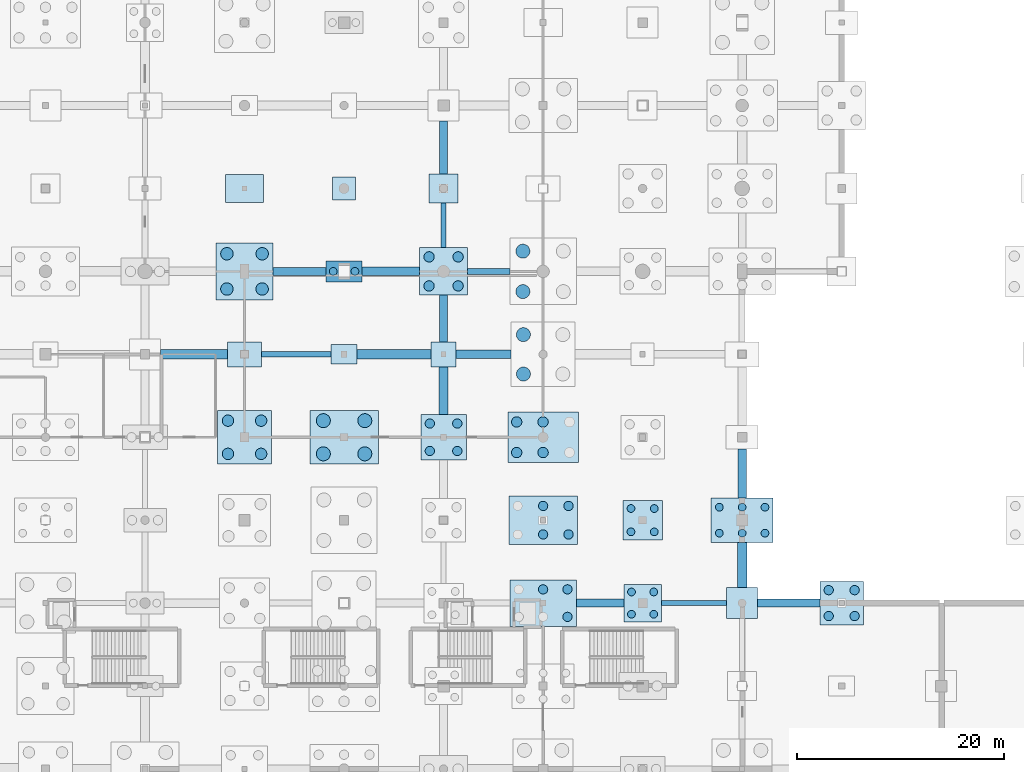
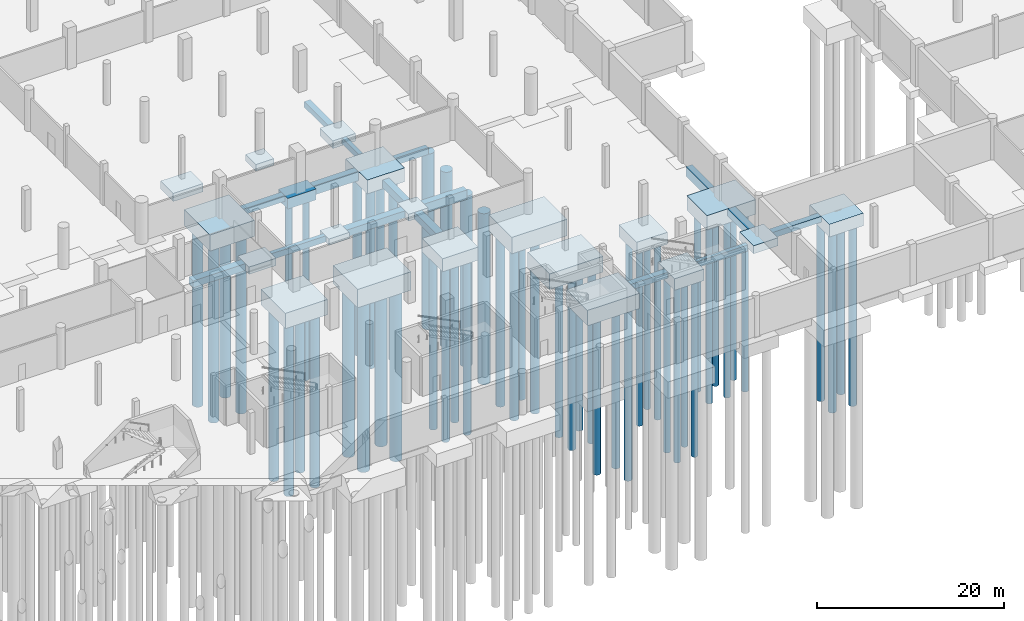
# One storey, part 5 of 44: 55 piles, 36 footings.
"""IFC4 building model written with IfcOpenShell, lengths in metres."""

from ifc_helpers import new_model, si_unit, direction, frame, origin, origin_2d, place, context, subcontext, project, spatial, rectangle, circle, extrude, material, material_profile, profile_set, type_object, element, save


model = new_model("IFC4")

# Units and contexts
model_context = context("Model", 3, precision=1e-05, world=origin(), true_north=direction((0.0, 1.0)))
body_context = subcontext(model_context, "Body", "Model", "MODEL_VIEW")
ifc_project = project(units=[si_unit("LENGTHUNIT", "METRE"), si_unit("AREAUNIT", "SQUARE_METRE"), si_unit("VOLUMEUNIT", "CUBIC_METRE"), si_unit("PLANEANGLEUNIT", "RADIAN"), si_unit("MASSUNIT", "GRAM", prefix="KILO")], contexts=[model_context])

# Site, building, storey
site_placement = place(None, origin())
site = spatial("IfcSite", under=ifc_project, at=site_placement, CompositionType="ELEMENT")
building_placement = place(site_placement, origin())
building = spatial("IfcBuilding", under=site, at=building_placement, Name="Danafjord Basin Convention Centre", CompositionType="ELEMENT")
storey_placement = place(building_placement, frame((0.0, 0.0, -5.39990234375)))
storey = spatial("IfcBuildingStorey", under=building, at=storey_placement, Name="B1", CompositionType="ELEMENT", Elevation=-5.39990234375)

# Footings
ifc_material_1 = material(Name="Concrete C40/50", Category="concrete")
footing_type_1 = type_object("IfcFootingType", Name="CAP-PC-01", PredefinedType="PILE_CAP", material=ifc_material_1)
footing_1_placement = place(storey_placement, frame((76.800048828125, 56.0, -1.400146484375), z_axis=(0.0, 0.0, 1.0), x_axis=(1.0, 0.0, 0.0)))
element("IfcFooting", 1, at=footing_1_placement, inside=storey, type_object=footing_type_1, Name="B1 pile cap PC-01 at (76.8, 56.0)", PredefinedType="PILE_CAP", context=body_context, shape_type="SweptSolid", body=[
    extrude(rectangle(XDim=3.5, YDim=2.0, at=origin_2d()), origin(), (0.0, 0.0, 1.0), 1.39990234375),
])
footing_type_2 = type_object("IfcFootingType", Name="CAP-PC-06", PredefinedType="PILE_CAP", material=ifc_material_1)
footing_2_placement = place(storey_placement, frame((105.60009765625, 24.0, -2.150146484375), z_axis=(0.0, 0.0, 1.0), x_axis=(1.0, 0.0, 0.0)))
element("IfcFooting", 2, at=footing_2_placement, inside=storey, type_object=footing_type_2, Name="B1 pile cap PC-06 at (105.6, 24.0)", PredefinedType="PILE_CAP", context=body_context, shape_type="SweptSolid", body=[
    extrude(rectangle(XDim=3.60009765625, YDim=3.60009765625, at=origin_2d()), origin(), (0.0, 0.0, 1.0), 1.5),
])
footing_type_3 = type_object("IfcFootingType", Name="CAP-PC-07", PredefinedType="PILE_CAP", material=ifc_material_1)
footing_3_placement = place(storey_placement, frame((105.60009765625, 32.0, -2.2001953125), z_axis=(0.0, 0.0, 1.0), x_axis=(1.0, 0.0, 0.0)))
element("IfcFooting", 3, at=footing_3_placement, inside=storey, type_object=footing_type_3, Name="B1 pile cap PC-07 at (105.6, 32.0)", PredefinedType="PILE_CAP", context=body_context, shape_type="SweptSolid", body=[
    extrude(rectangle(XDim=3.800048828125, YDim=3.800048828125, at=origin_2d()), origin(), (0.0, 0.0, 1.0), 1.550048828125),
])
footing_type_4 = type_object("IfcFootingType", Name="CAP-PC-08", PredefinedType="PILE_CAP", material=ifc_material_1)
footing_4_placement = place(storey_placement, frame((124.800048828125, 24.0, -1.650146484375), z_axis=(0.0, 0.0, 1.0), x_axis=(1.0, 0.0, 0.0)))
element("IfcFooting", 4, at=footing_4_placement, inside=storey, type_object=footing_type_4, Name="B1 pile cap PC-08 at (124.8, 24.0)", PredefinedType="PILE_CAP", context=body_context, shape_type="SweptSolid", body=[
    extrude(rectangle(XDim=4.199951171875, YDim=4.199951171875, at=origin_2d()), origin(), (0.0, 0.0, 1.0), 1.64990234375),
])
footing_type_5 = type_object("IfcFootingType", Name="CAP-PC-09", PredefinedType="PILE_CAP", material=ifc_material_1)
footing_5_placement = place(storey_placement, frame((86.39990234375, 40.0, -2.35009765625), z_axis=(0.0, 0.0, 1.0), x_axis=(1.0, 0.0, 0.0)))
element("IfcFooting", 5, at=footing_5_placement, inside=storey, type_object=footing_type_5, Name="B1 pile cap PC-09 at (86.4, 40.0)", PredefinedType="PILE_CAP", context=body_context, shape_type="SweptSolid", body=[
    extrude(rectangle(XDim=4.39990234375, YDim=4.39990234375, at=origin_2d()), origin(), (0.0, 0.0, 1.0), 1.699951171875),
])
footing_type_6 = type_object("IfcFootingType", Name="CAP-PC-10", PredefinedType="PILE_CAP", material=ifc_material_1)
footing_6_placement = place(storey_placement, frame((86.39990234375, 56.0, -1.80029296875), z_axis=(0.0, 0.0, 1.0), x_axis=(1.0, 0.0, 0.0)))
element("IfcFooting", 6, at=footing_6_placement, inside=storey, type_object=footing_type_6, Name="B1 pile cap PC-10 at (86.4, 56.0)", PredefinedType="PILE_CAP", context=body_context, shape_type="SweptSolid", body=[
    extrude(rectangle(XDim=4.60009765625, YDim=4.60009765625, at=origin_2d()), origin(), (0.0, 0.0, 1.0), 1.800048828125),
])
footing_type_7 = type_object("IfcFootingType", Name="CAP-PC-13", PredefinedType="PILE_CAP", material=ifc_material_1)
footing_7_placement = place(storey_placement, frame((67.199951171875, 40.0, -2.650146484375), z_axis=(0.0, 0.0, 1.0), x_axis=(1.0, 0.0, 0.0)))
element("IfcFooting", 7, at=footing_7_placement, inside=storey, type_object=footing_type_7, Name="B1 pile cap PC-13 at (67.2, 40.0)", PredefinedType="PILE_CAP", context=body_context, shape_type="SweptSolid", body=[
    extrude(rectangle(XDim=5.199951171875, YDim=5.199951171875, at=origin_2d()), origin(), (0.0, 0.0, 1.0), 2.0),
])
footing_type_8 = type_object("IfcFootingType", Name="CAP-PC-14", PredefinedType="PILE_CAP", material=ifc_material_1)
footing_8_placement = place(storey_placement, frame((67.199951171875, 56.0, -2.10009765625), z_axis=(0.0, 0.0, 1.0), x_axis=(1.0, 0.0, 0.0)))
element("IfcFooting", 8, at=footing_8_placement, inside=storey, type_object=footing_type_8, Name="B1 pile cap PC-14 at (67.2, 56.0)", PredefinedType="PILE_CAP", context=body_context, shape_type="SweptSolid", body=[
    extrude(rectangle(XDim=5.5, YDim=5.5, at=origin_2d()), origin(), (0.0, 0.0, 1.0), 2.10009765625),
])
footing_type_9 = type_object("IfcFootingType", Name="CAP-PC-16", PredefinedType="PILE_CAP", material=ifc_material_1)
footing_9_placement = place(storey_placement, frame((115.199951171875, 32.0, -1.900146484375), z_axis=(0.0, 0.0, 1.0), x_axis=(1.0, 0.0, 0.0)))
element("IfcFooting", 9, at=footing_9_placement, inside=storey, type_object=footing_type_9, Name="B1 pile cap PC-16 at (115.2, 32.0)", PredefinedType="PILE_CAP", context=body_context, shape_type="SweptSolid", body=[
    extrude(rectangle(XDim=6.0, YDim=4.300048828125, at=origin_2d()), origin(), (0.0, 0.0, 1.0), 1.89990234375),
])
footing_type_10 = type_object("IfcFootingType", Name="CAP-PC-17", PredefinedType="PILE_CAP", material=ifc_material_1)
footing_10_placement = place(storey_placement, frame((96.0, 24.0, -2.650146484375), z_axis=(0.0, 0.0, 1.0), x_axis=(1.0, 0.0, 0.0)))
element("IfcFooting", 10, at=footing_10_placement, inside=storey, type_object=footing_type_10, Name="B1 pile cap PC-17 at (96.0, 24.0)", PredefinedType="PILE_CAP", context=body_context, shape_type="SweptSolid", body=[
    extrude(rectangle(XDim=6.39990234375, YDim=4.5, at=origin_2d()), origin(), (0.0, 0.0, 1.0), 2.0),
])
footing_type_11 = type_object("IfcFootingType", Name="CAP-PC-18", PredefinedType="PILE_CAP", material=ifc_material_1)
footing_11_placement = place(storey_placement, frame((96.0, 32.0, -2.7001953125), z_axis=(0.0, 0.0, 1.0), x_axis=(1.0, 0.0, 0.0)))
element("IfcFooting", 11, at=footing_11_placement, inside=storey, type_object=footing_type_11, Name="B1 pile cap PC-18 at (96.0, 32.0)", PredefinedType="PILE_CAP", context=body_context, shape_type="SweptSolid", body=[
    extrude(rectangle(XDim=6.60009765625, YDim=4.699951171875, at=origin_2d()), origin(), (0.0, 0.0, 1.0), 2.050048828125),
])
footing_type_12 = type_object("IfcFootingType", Name="CAP-PC-19", PredefinedType="PILE_CAP", material=ifc_material_1)
footing_12_placement = place(storey_placement, frame((96.0, 40.0, -2.800048828125), z_axis=(0.0, 0.0, 1.0), x_axis=(1.0, 0.0, 0.0)))
element("IfcFooting", 12, at=footing_12_placement, inside=storey, type_object=footing_type_12, Name="B1 pile cap PC-19 at (96.0, 40.0)", PredefinedType="PILE_CAP", context=body_context, shape_type="SweptSolid", body=[
    extrude(rectangle(XDim=6.800048828125, YDim=4.89990234375, at=origin_2d()), origin(), (0.0, 0.0, 1.0), 2.14990234375),
])
footing_type_13 = type_object("IfcFootingType", Name="CAP-PC-22", PredefinedType="PILE_CAP", material=ifc_material_1)
footing_13_placement = place(storey_placement, frame((76.800048828125, 40.0, -3.050048828125), z_axis=(0.0, 0.0, 1.0), x_axis=(1.0, 0.0, 0.0)))
element("IfcFooting", 13, at=footing_13_placement, inside=storey, type_object=footing_type_13, Name="B1 pile cap PC-22 at (76.8, 40.0)", PredefinedType="PILE_CAP", context=body_context, shape_type="SweptSolid", body=[
    extrude(rectangle(XDim=6.60009765625, YDim=5.199951171875, at=origin_2d()), origin(), (0.0, 0.0, 1.0), 2.39990234375),
])
ifc_material_profile_1 = material_profile(ifc_material_1, rectangle(XDim=0.800048828125, YDim=1.0, at=origin_2d()), Name="GB 800x1000")
ifc_profile_set_1 = profile_set([ifc_material_profile_1], Name="Concrete C40/50")
footing_type_14 = type_object("IfcFootingType", Name="FBM-FB-01", PredefinedType="FOOTING_BEAM", material=ifc_profile_set_1)
footing_14_placement = place(storey_placement, frame((86.39990234375, 49.199951171875, -1.150146484375), z_axis=(0.0, 1.0, 0.0), x_axis=(-1.0, 0.0, 0.0)))
element("IfcFooting", 14, at=footing_14_placement, inside=storey, type_object=footing_type_14, Name="B1 foundation tie beam FB-01", PredefinedType="FOOTING_BEAM", context=body_context, shape_type="SweptSolid", body=[
    extrude(rectangle(XDim=0.800048828125, YDim=1.0, at=origin_2d()), origin(), (0.0, 0.0, 1.0), 4.5),
])
ifc_material_profile_2 = material_profile(ifc_material_1, rectangle(XDim=0.60009765625, YDim=0.89990234375, at=origin_2d()), Name="GB 600x900")
ifc_profile_set_2 = profile_set([ifc_material_profile_2], Name="Concrete C40/50")
footing_type_15 = type_object("IfcFootingType", Name="FBM-FB-02", PredefinedType="FOOTING_BEAM", material=ifc_profile_set_2)
footing_15_placement = place(storey_placement, frame((88.699951171875, 56.0, -0.4501953125), z_axis=(1.0, 0.0, 0.0), x_axis=(0.0, 1.0, 0.0)))
element("IfcFooting", 15, at=footing_15_placement, inside=storey, type_object=footing_type_15, Name="B1 foundation beam FB-02", PredefinedType="FOOTING_BEAM", context=body_context, shape_type="SweptSolid", body=[
    extrude(rectangle(XDim=0.60009765625, YDim=0.89990234375, at=origin_2d()), origin(), (0.0, 0.0, 1.0), 4.10009765625),
])
ifc_material_profile_3 = material_profile(ifc_material_1, rectangle(XDim=0.5, YDim=0.800048828125, at=origin_2d()), Name="PCB 500x800")
ifc_profile_set_3 = profile_set([ifc_material_profile_3], Name="Concrete C40/50")
footing_type_16 = type_object("IfcFootingType", Name="FBM-FB-03", PredefinedType="FOOTING_BEAM", material=ifc_profile_set_3)
footing_16_placement = place(storey_placement, frame((68.85009765625, 48.0, -1.050048828125), z_axis=(1.0, 0.0, 0.0), x_axis=(0.0, 1.0, 0.0)))
element("IfcFooting", 16, at=footing_16_placement, inside=storey, type_object=footing_type_16, Name="B1 foundation beam FB-03", PredefinedType="FOOTING_BEAM", context=body_context, shape_type="SweptSolid", body=[
    extrude(rectangle(XDim=0.5, YDim=0.800048828125, at=origin_2d()), origin(), (0.0, 0.0, 1.0), 6.699951171875),
])
footing_17_placement = place(storey_placement, frame((86.39990234375, 58.300048828125, -1.0), z_axis=(0.0, 1.0, 0.0), x_axis=(-1.0, 0.0, 0.0)))
element("IfcFooting", 17, at=footing_17_placement, inside=storey, type_object=footing_type_16, Name="B1 foundation tie beam FB-03", PredefinedType="FOOTING_BEAM", context=body_context, shape_type="SweptSolid", body=[
    extrude(rectangle(XDim=0.5, YDim=0.800048828125, at=origin_2d()), origin(), (0.0, 0.0, 1.0), 4.300048828125),
])
footing_18_placement = place(storey_placement, frame((107.39990234375, 24.0, -1.050048828125), z_axis=(1.0, 0.0, 0.0), x_axis=(0.0, 1.0, 0.0)))
element("IfcFooting", 18, at=footing_18_placement, inside=storey, type_object=footing_type_16, Name="B1 foundation beam FB-03", PredefinedType="FOOTING_BEAM", context=body_context, shape_type="SweptSolid", body=[
    extrude(rectangle(XDim=0.5, YDim=0.800048828125, at=origin_2d()), origin(), (0.0, 0.0, 1.0), 6.300048828125),
])
ifc_material_profile_4 = material_profile(ifc_material_1, rectangle(XDim=0.75, YDim=0.75, at=origin_2d()), Name="RC 750x750")
ifc_profile_set_4 = profile_set([ifc_material_profile_4], Name="Concrete C40/50")
footing_type_17 = type_object("IfcFootingType", Name="FBM-FB-04", PredefinedType="FOOTING_BEAM", material=ifc_profile_set_4)
for number, where, z_axis, x_axis, name in (
    (19, (69.949951171875, 56.0, -0.375), (1.0, 0.0, 0.0), (0.0, 1.0, 0.0), "B1 foundation beam FB-04"),
    (20, (86.39990234375, 65.39990234375, -0.97509765625), (0.0, 1.0, 0.0), (-1.0, 0.0, 0.0), "B1 foundation tie beam FB-04"),
):
    element("IfcFooting", number, at=place(storey_placement, frame(where, z_axis=z_axis, x_axis=x_axis)), inside=storey, type_object=footing_type_17, Name=name, PredefinedType="FOOTING_BEAM", context=body_context, shape_type="SweptSolid", body=[
        extrude(rectangle(XDim=0.75, YDim=0.75, at=origin_2d()), origin(), (0.0, 0.0, 1.0), 5.10009765625),
    ])
footing_19_placement = place(storey_placement, frame((99.199951171875, 24.0, -1.025146484375), z_axis=(1.0, 0.0, 0.0), x_axis=(0.0, 1.0, 0.0)))
element("IfcFooting", 21, at=footing_19_placement, inside=storey, type_object=footing_type_17, Name="B1 foundation beam FB-04", PredefinedType="FOOTING_BEAM", context=body_context, shape_type="SweptSolid", body=[
    extrude(rectangle(XDim=0.75, YDim=0.75, at=origin_2d()), origin(), (0.0, 0.0, 1.0), 4.60009765625),
])
footing_20_placement = place(storey_placement, frame((116.699951171875, 24.0, -0.375), z_axis=(1.0, 0.0, 0.0), x_axis=(0.0, 1.0, 0.0)))
element("IfcFooting", 22, at=footing_20_placement, inside=storey, type_object=footing_type_17, Name="B1 foundation beam FB-04", PredefinedType="FOOTING_BEAM", context=body_context, shape_type="SweptSolid", body=[
    extrude(rectangle(XDim=0.75, YDim=0.75, at=origin_2d()), origin(), (0.0, 0.0, 1.0), 6.0),
])
ifc_material_profile_5 = material_profile(ifc_material_1, rectangle(XDim=0.89990234375, YDim=0.89990234375, at=origin_2d()), Name="RC 900x900")
ifc_profile_set_5 = profile_set([ifc_material_profile_5], Name="Concrete C40/50")
footing_type_18 = type_object("IfcFootingType", Name="FBM-FB-05", PredefinedType="FOOTING_BEAM", material=ifc_profile_set_5)
footing_21_placement = place(storey_placement, frame((59.10009765625, 48.0, -1.10009765625), z_axis=(1.0, 0.0, 0.0), x_axis=(0.0, 1.0, 0.0)))
element("IfcFooting", 23, at=footing_21_placement, inside=storey, type_object=footing_type_18, Name="B1 foundation beam FB-05", PredefinedType="FOOTING_BEAM", context=body_context, shape_type="SweptSolid", body=[
    extrude(rectangle(XDim=0.89990234375, YDim=0.89990234375, at=origin_2d()), origin(), (0.0, 0.0, 1.0), 6.449951171875),
])
footing_22_placement = place(storey_placement, frame((78.050048828125, 48.0, -1.10009765625), z_axis=(1.0, 0.0, 0.0), x_axis=(0.0, 1.0, 0.0)))
element("IfcFooting", 24, at=footing_22_placement, inside=storey, type_object=footing_type_18, Name="B1 foundation beam FB-05", PredefinedType="FOOTING_BEAM", context=body_context, shape_type="SweptSolid", body=[
    extrude(rectangle(XDim=0.89990234375, YDim=0.89990234375, at=origin_2d()), origin(), (0.0, 0.0, 1.0), 7.14990234375),
])
footing_23_placement = place(storey_placement, frame((86.39990234375, 42.199951171875, -1.10009765625), z_axis=(0.0, 1.0, 0.0), x_axis=(-1.0, 0.0, 0.0)))
element("IfcFooting", 25, at=footing_23_placement, inside=storey, type_object=footing_type_18, Name="B1 foundation tie beam FB-05", PredefinedType="FOOTING_BEAM", context=body_context, shape_type="SweptSolid", body=[
    extrude(rectangle(XDim=0.89990234375, YDim=0.89990234375, at=origin_2d()), origin(), (0.0, 0.0, 1.0), 4.60009765625),
])
footing_24_placement = place(storey_placement, frame((115.199951171875, 25.5, -0.4501953125), z_axis=(0.0, 1.0, 0.0), x_axis=(-1.0, 0.0, 0.0)))
element("IfcFooting", 26, at=footing_24_placement, inside=storey, type_object=footing_type_18, Name="B1 foundation tie beam FB-05", PredefinedType="FOOTING_BEAM", context=body_context, shape_type="SweptSolid", body=[
    extrude(rectangle(XDim=0.89990234375, YDim=0.89990234375, at=origin_2d()), origin(), (0.0, 0.0, 1.0), 4.35009765625),
])
ifc_material_profile_6 = material_profile(ifc_material_1, rectangle(XDim=0.800048828125, YDim=1.199951171875, at=origin_2d()), Name="RC 1200x800")
ifc_profile_set_6 = profile_set([ifc_material_profile_6], Name="Concrete C40/50")
footing_type_19 = type_object("IfcFootingType", Name="FBM-FB-06", PredefinedType="FOOTING_BEAM", material=ifc_profile_set_6)
footing_25_placement = place(storey_placement, frame((78.550048828125, 56.0, -0.60009765625), z_axis=(1.0, 0.0, 0.0), x_axis=(0.0, 1.0, 0.0)))
element("IfcFooting", 27, at=footing_25_placement, inside=storey, type_object=footing_type_19, Name="B1 foundation beam FB-06", PredefinedType="FOOTING_BEAM", context=body_context, shape_type="SweptSolid", body=[
    extrude(rectangle(XDim=0.800048828125, YDim=1.199951171875, at=origin_2d()), origin(), (0.0, 0.0, 1.0), 5.550048828125),
])
footing_26_placement = place(storey_placement, frame((87.60009765625, 48.0, -1.25), z_axis=(1.0, 0.0, 0.0), x_axis=(0.0, 1.0, 0.0)))
element("IfcFooting", 28, at=footing_26_placement, inside=storey, type_object=footing_type_19, Name="B1 foundation beam FB-06", PredefinedType="FOOTING_BEAM", context=body_context, shape_type="SweptSolid", body=[
    extrude(rectangle(XDim=0.800048828125, YDim=1.199951171875, at=origin_2d()), origin(), (0.0, 0.0, 1.0), 5.2998046875),
])
footing_27_placement = place(storey_placement, frame((115.199951171875, 34.14990234375, -0.60009765625), z_axis=(0.0, 1.0, 0.0), x_axis=(-1.0, 0.0, 0.0)))
element("IfcFooting", 29, at=footing_27_placement, inside=storey, type_object=footing_type_19, Name="B1 foundation tie beam FB-06", PredefinedType="FOOTING_BEAM", context=body_context, shape_type="SweptSolid", body=[
    extrude(rectangle(XDim=0.800048828125, YDim=1.199951171875, at=origin_2d()), origin(), (0.0, 0.0, 1.0), 4.72509765625),
])
ifc_material_2 = material(Name="Concrete C35/45", Category="concrete")
footing_type_20 = type_object("IfcFootingType", Name="PAD-PF-02", PredefinedType="PAD_FOOTING", material=ifc_material_2)
footing_28_placement = place(storey_placement, frame((76.800048828125, 64.0, -1.4501953125), z_axis=(0.0, 0.0, 1.0), x_axis=(1.0, 0.0, 0.0)))
element("IfcFooting", 30, at=footing_28_placement, inside=storey, type_object=footing_type_20, Name="B1 pad footing PF-02 at (76.8, 64.0)", PredefinedType="PAD_FOOTING", context=body_context, shape_type="SweptSolid", body=[
    extrude(rectangle(XDim=2.199951171875, YDim=2.199951171875, at=origin_2d()), origin(), (0.0, 0.0, 1.0), 0.85009765625),
])
footing_type_21 = type_object("IfcFootingType", Name="PAD-PF-03", PredefinedType="PAD_FOOTING", material=ifc_material_2)
footing_29_placement = place(storey_placement, frame((86.39990234375, 48.0, -1.550048828125), z_axis=(0.0, 0.0, 1.0), x_axis=(1.0, 0.0, 0.0)))
element("IfcFooting", 31, at=footing_29_placement, inside=storey, type_object=footing_type_21, Name="B1 pad footing PF-03 at (86.4, 48.0)", PredefinedType="PAD_FOOTING", context=body_context, shape_type="SweptSolid", body=[
    extrude(rectangle(XDim=2.39990234375, YDim=2.39990234375, at=origin_2d()), origin(), (0.0, 0.0, 1.0), 0.89990234375),
])
footing_type_22 = type_object("IfcFootingType", Name="PAD-PF-05", PredefinedType="PAD_FOOTING", material=ifc_material_2)
footing_30_placement = place(storey_placement, frame((86.39990234375, 64.0, -1.60009765625), z_axis=(0.0, 0.0, 1.0), x_axis=(1.0, 0.0, 0.0)))
element("IfcFooting", 32, at=footing_30_placement, inside=storey, type_object=footing_type_22, Name="B1 pad footing PF-05 at (86.4, 64.0)", PredefinedType="PAD_FOOTING", context=body_context, shape_type="SweptSolid", body=[
    extrude(rectangle(XDim=2.800048828125, YDim=2.800048828125, at=origin_2d()), origin(), (0.0, 0.0, 1.0), 1.0),
])
footing_type_23 = type_object("IfcFootingType", Name="PAD-PF-06", PredefinedType="PAD_FOOTING", material=ifc_material_2)
footing_31_placement = place(storey_placement, frame((115.199951171875, 24.0, -1.05029296875), z_axis=(0.0, 0.0, 1.0), x_axis=(1.0, 0.0, 0.0)))
element("IfcFooting", 33, at=footing_31_placement, inside=storey, type_object=footing_type_23, Name="B1 pad footing PF-06 at (115.2, 24.0)", PredefinedType="PAD_FOOTING", context=body_context, shape_type="SweptSolid", body=[
    extrude(rectangle(XDim=3.0, YDim=3.0, at=origin_2d()), origin(), (0.0, 0.0, 1.0), 1.050048828125),
])
footing_type_24 = type_object("IfcFootingType", Name="PAD-PF-09", PredefinedType="PAD_FOOTING", material=ifc_material_2)
footing_32_placement = place(storey_placement, frame((67.199951171875, 48.0, -1.60009765625), z_axis=(0.0, 0.0, 1.0), x_axis=(1.0, 0.0, 0.0)))
element("IfcFooting", 34, at=footing_32_placement, inside=storey, type_object=footing_type_24, Name="B1 pad footing PF-09 at (67.2, 48.0)", PredefinedType="PAD_FOOTING", context=body_context, shape_type="SweptSolid", body=[
    extrude(rectangle(XDim=3.300048828125, YDim=2.39990234375, at=origin_2d()), origin(), (0.0, 0.0, 1.0), 0.949951171875),
])
footing_type_25 = type_object("IfcFootingType", Name="PAD-PF-11", PredefinedType="PAD_FOOTING", material=ifc_material_2)
footing_33_placement = place(storey_placement, frame((67.199951171875, 64.0, -1.64990234375), z_axis=(0.0, 0.0, 1.0), x_axis=(1.0, 0.0, 0.0)))
element("IfcFooting", 35, at=footing_33_placement, inside=storey, type_object=footing_type_25, Name="B1 pad footing PF-11 at (67.2, 64.0)", PredefinedType="PAD_FOOTING", context=body_context, shape_type="SweptSolid", body=[
    extrude(rectangle(XDim=3.699951171875, YDim=2.699951171875, at=origin_2d()), origin(), (0.0, 0.0, 1.0), 1.050048828125),
])
footing_type_26 = type_object("IfcFootingType", Name="PAD-PF-12", PredefinedType="PAD_FOOTING", material=ifc_material_2)
footing_34_placement = place(storey_placement, frame((76.800048828125, 48.0, -1.4501953125), z_axis=(0.0, 0.0, 1.0), x_axis=(1.0, 0.0, 0.0)))
element("IfcFooting", 36, at=footing_34_placement, inside=storey, type_object=footing_type_26, Name="B1 pad footing PF-12 at (76.8, 48.0)", PredefinedType="PAD_FOOTING", context=body_context, shape_type="SweptSolid", body=[
    extrude(rectangle(XDim=2.5, YDim=1.89990234375, at=origin_2d()), origin(), (0.0, 0.0, 1.0), 0.800048828125),
])

# Piles
ifc_material_profile_7 = material_profile(ifc_material_1, circle(Radius=0.5, at=origin_2d()), Name="PILE D1000")
ifc_profile_set_7 = profile_set([ifc_material_profile_7], Name="Concrete C40/50")
pile_type_1 = type_object("IfcPileType", Name="PILE-PL-1000", PredefinedType="BORED", material=ifc_profile_set_7)
for number, where, z_axis, x_axis, name in (
    (37, (85.0, 54.60009765625, -1.7001953125), (0.0, 0.0, -1.0), (1.0, 0.0, 0.0), "PC-10 bored pile 1-1"),
    (38, (85.0, 57.39990234375, -1.7001953125), (0.0, 0.0, -1.0), (1.0, 0.0, 0.0), "PC-10 bored pile 1-2"),
    (39, (87.800048828125, 54.60009765625, -1.7001953125), (0.0, 0.0, -1.0), (1.0, 0.0, 0.0), "PC-10 bored pile 2-1"),
    (40, (87.800048828125, 57.39990234375, -1.7001953125), (0.0, 0.0, -1.0), (1.0, 0.0, 0.0), "PC-10 bored pile 2-2"),
):
    element("IfcPile", number, at=place(storey_placement, frame(where, z_axis=z_axis, x_axis=x_axis)), inside=storey, type_object=pile_type_1, Name=name, PredefinedType="BORED", context=body_context, shape_type="SweptSolid", body=[
        extrude(circle(Radius=0.5, at=origin_2d()), origin(), (0.0, 0.0, 1.0), 23.39990234375),
    ])
for number, where, z_axis, x_axis, name in (
    (41, (93.449951171875, 38.52490234375, -2.7001953125), (0.0, 0.0, -1.0), (1.0, 0.0, 0.0), "PC-19 bored pile 1-1"),
    (42, (93.449951171875, 41.47509765625, -2.7001953125), (0.0, 0.0, -1.0), (1.0, 0.0, 0.0), "PC-19 bored pile 1-2"),
    (43, (96.0, 38.52490234375, -2.7001953125), (0.0, 0.0, -1.0), (1.0, 0.0, 0.0), "PC-19 bored pile 2-1"),
    (44, (96.0, 41.47509765625, -2.7001953125), (0.0, 0.0, -1.0), (1.0, 0.0, 0.0), "PC-19 bored pile 2-2"),
):
    element("IfcPile", number, at=place(storey_placement, frame(where, z_axis=z_axis, x_axis=x_axis)), inside=storey, type_object=pile_type_1, Name=name, PredefinedType="BORED", context=body_context, shape_type="SweptSolid", body=[
        extrude(circle(Radius=0.5, at=origin_2d()), origin(), (0.0, 0.0, 1.0), 22.39990234375),
    ])
ifc_material_profile_8 = material_profile(ifc_material_1, circle(Radius=0.550048828125, at=origin_2d()), Name="PILE D1100")
ifc_profile_set_8 = profile_set([ifc_material_profile_8], Name="Concrete C40/50")
pile_type_2 = type_object("IfcPileType", Name="PILE-PL-1100", PredefinedType="BORED", material=ifc_profile_set_8)
for number, where, z_axis, x_axis, name in (
    (45, (65.60009765625, 38.39990234375, -2.550048828125), (0.0, 0.0, -1.0), (1.0, 0.0, 0.0), "PC-13 bored pile 1-1"),
    (46, (65.60009765625, 41.60009765625, -2.550048828125), (0.0, 0.0, -1.0), (1.0, 0.0, 0.0), "PC-13 bored pile 1-2"),
    (47, (68.800048828125, 38.39990234375, -2.550048828125), (0.0, 0.0, -1.0), (1.0, 0.0, 0.0), "PC-13 bored pile 2-1"),
    (48, (68.800048828125, 41.60009765625, -2.550048828125), (0.0, 0.0, -1.0), (1.0, 0.0, 0.0), "PC-13 bored pile 2-2"),
):
    element("IfcPile", number, at=place(storey_placement, frame(where, z_axis=z_axis, x_axis=x_axis)), inside=storey, type_object=pile_type_2, Name=name, PredefinedType="BORED", context=body_context, shape_type="SweptSolid", body=[
        extrude(circle(Radius=0.550048828125, at=origin_2d()), origin(), (0.0, 0.0, 1.0), 22.550048828125),
    ])
ifc_material_profile_9 = material_profile(ifc_material_1, circle(Radius=0.60009765625, at=origin_2d()), Name="PILE D1200")
ifc_profile_set_9 = profile_set([ifc_material_profile_9], Name="Concrete C40/50")
pile_type_3 = type_object("IfcPileType", Name="PILE-PL-1200", PredefinedType="BORED", material=ifc_profile_set_9)
for number, where, z_axis, x_axis, name in (
    (49, (65.5, 54.300048828125, -2.0), (0.0, 0.0, -1.0), (1.0, 0.0, 0.0), "PC-14 bored pile 1-1"),
    (50, (65.5, 57.699951171875, -2.0), (0.0, 0.0, -1.0), (1.0, 0.0, 0.0), "PC-14 bored pile 1-2"),
    (51, (68.89990234375, 54.300048828125, -2.0), (0.0, 0.0, -1.0), (1.0, 0.0, 0.0), "PC-14 bored pile 2-1"),
    (52, (68.89990234375, 57.699951171875, -2.0), (0.0, 0.0, -1.0), (1.0, 0.0, 0.0), "PC-14 bored pile 2-2"),
):
    element("IfcPile", number, at=place(storey_placement, frame(where, z_axis=z_axis, x_axis=x_axis)), inside=storey, type_object=pile_type_3, Name=name, PredefinedType="BORED", context=body_context, shape_type="SweptSolid", body=[
        extrude(circle(Radius=0.60009765625, at=origin_2d()), origin(), (0.0, 0.0, 1.0), 23.10009765625),
    ])
ifc_material_profile_10 = material_profile(ifc_material_1, circle(Radius=0.675048828125, at=origin_2d()), Name="PILE D1350")
ifc_profile_set_10 = profile_set([ifc_material_profile_10], Name="Concrete C40/50")
pile_type_4 = type_object("IfcPileType", Name="PILE-PL-1350", PredefinedType="BORED", material=ifc_profile_set_10)
for number, where, z_axis, x_axis, name in (
    (53, (74.800048828125, 38.39990234375, -2.9501953125), (0.0, 0.0, -1.0), (1.0, 0.0, 0.0), "PC-22 bored pile 1-1"),
    (54, (74.800048828125, 41.60009765625, -2.9501953125), (0.0, 0.0, -1.0), (1.0, 0.0, 0.0), "PC-22 bored pile 1-2"),
    (55, (78.800048828125, 38.39990234375, -2.9501953125), (0.0, 0.0, -1.0), (1.0, 0.0, 0.0), "PC-22 bored pile 2-1"),
    (56, (78.800048828125, 41.60009765625, -2.9501953125), (0.0, 0.0, -1.0), (1.0, 0.0, 0.0), "PC-22 bored pile 2-2"),
):
    element("IfcPile", number, at=place(storey_placement, frame(where, z_axis=z_axis, x_axis=x_axis)), inside=storey, type_object=pile_type_4, Name=name, PredefinedType="BORED", context=body_context, shape_type="SweptSolid", body=[
        extrude(circle(Radius=0.675048828125, at=origin_2d()), origin(), (0.0, 0.0, 1.0), 22.14990234375),
    ])
for number, where, z_axis, x_axis, name in (
    (57, (94.10009765625, 46.10009765625, -2.800048828125), (0.0, 0.0, -1.0), (1.0, 0.0, 0.0), "PC-20 bored pile 1-1"),
    (58, (94.10009765625, 49.89990234375, -2.800048828125), (0.0, 0.0, -1.0), (1.0, 0.0, 0.0), "PC-20 bored pile 1-2"),
):
    element("IfcPile", number, at=place(storey_placement, frame(where, z_axis=z_axis, x_axis=x_axis)), inside=storey, type_object=pile_type_4, Name=name, PredefinedType="BORED", context=body_context, shape_type="SweptSolid", body=[
        extrude(circle(Radius=0.675048828125, at=origin_2d()), origin(), (0.0, 0.0, 1.0), 22.300048828125),
    ])
for number, where, z_axis, x_axis, name in (
    (59, (94.050048828125, 54.050048828125, -2.2001953125), (0.0, 0.0, -1.0), (1.0, 0.0, 0.0), "PC-21 bored pile 1-1"),
    (60, (94.050048828125, 57.949951171875, -2.2001953125), (0.0, 0.0, -1.0), (1.0, 0.0, 0.0), "PC-21 bored pile 1-2"),
):
    element("IfcPile", number, at=place(storey_placement, frame(where, z_axis=z_axis, x_axis=x_axis)), inside=storey, type_object=pile_type_4, Name=name, PredefinedType="BORED", context=body_context, shape_type="SweptSolid", body=[
        extrude(circle(Radius=0.675048828125, at=origin_2d()), origin(), (0.0, 0.0, 1.0), 22.89990234375),
    ])
ifc_material_profile_11 = material_profile(ifc_material_1, circle(Radius=0.375, at=origin_2d()), Name="PILE D750")
ifc_profile_set_11 = profile_set([ifc_material_profile_11], Name="Concrete C40/50")
pile_type_5 = type_object("IfcPileType", Name="PILE-PL-750", PredefinedType="BORED", material=ifc_profile_set_11)
for number, where, z_axis, x_axis, name in (
    (61, (75.75, 56.0, -1.300048828125), (0.0, 0.0, -1.0), (1.0, 0.0, 0.0), "PC-01 bored pile 1-1"),
    (62, (77.85009765625, 56.0, -1.300048828125), (0.0, 0.0, -1.0), (1.0, 0.0, 0.0), "PC-01 bored pile 2-1"),
):
    element("IfcPile", number, at=place(storey_placement, frame(where, z_axis=z_axis, x_axis=x_axis)), inside=storey, type_object=pile_type_5, Name=name, PredefinedType="BORED", context=body_context, shape_type="SweptSolid", body=[
        extrude(circle(Radius=0.375, at=origin_2d()), origin(), (0.0, 0.0, 1.0), 23.800048828125),
    ])
for number, where, z_axis, x_axis, name in (
    (63, (104.52490234375, 22.925048828125, -2.050048828125), (0.0, 0.0, -1.0), (1.0, 0.0, 0.0), "PC-06 bored pile 1-1"),
    (64, (104.52490234375, 25.074951171875, -2.050048828125), (0.0, 0.0, -1.0), (1.0, 0.0, 0.0), "PC-06 bored pile 1-2"),
    (65, (106.675048828125, 22.925048828125, -2.050048828125), (0.0, 0.0, -1.0), (1.0, 0.0, 0.0), "PC-06 bored pile 2-1"),
    (66, (106.675048828125, 25.074951171875, -2.050048828125), (0.0, 0.0, -1.0), (1.0, 0.0, 0.0), "PC-06 bored pile 2-2"),
):
    element("IfcPile", number, at=place(storey_placement, frame(where, z_axis=z_axis, x_axis=x_axis)), inside=storey, type_object=pile_type_5, Name=name, PredefinedType="BORED", context=body_context, shape_type="SweptSolid", body=[
        extrude(circle(Radius=0.375, at=origin_2d()), origin(), (0.0, 0.0, 1.0), 23.050048828125),
    ])
for number, where, z_axis, x_axis, name in (
    (67, (104.47509765625, 30.875, -2.10009765625), (0.0, 0.0, -1.0), (1.0, 0.0, 0.0), "PC-07 bored pile 1-1"),
    (68, (104.47509765625, 33.125, -2.10009765625), (0.0, 0.0, -1.0), (1.0, 0.0, 0.0), "PC-07 bored pile 1-2"),
    (69, (106.72509765625, 30.875, -2.10009765625), (0.0, 0.0, -1.0), (1.0, 0.0, 0.0), "PC-07 bored pile 2-1"),
    (70, (106.72509765625, 33.125, -2.10009765625), (0.0, 0.0, -1.0), (1.0, 0.0, 0.0), "PC-07 bored pile 2-2"),
):
    element("IfcPile", number, at=place(storey_placement, frame(where, z_axis=z_axis, x_axis=x_axis)), inside=storey, type_object=pile_type_5, Name=name, PredefinedType="BORED", context=body_context, shape_type="SweptSolid", body=[
        extrude(circle(Radius=0.375, at=origin_2d()), origin(), (0.0, 0.0, 1.0), 23.0),
    ])
for number, where, z_axis, x_axis, name in (
    (71, (113.0, 30.75, -1.800048828125), (0.0, 0.0, -1.0), (1.0, 0.0, 0.0), "PC-16 bored pile 1-1"),
    (72, (113.0, 33.25, -1.800048828125), (0.0, 0.0, -1.0), (1.0, 0.0, 0.0), "PC-16 bored pile 1-2"),
    (73, (115.199951171875, 30.75, -1.800048828125), (0.0, 0.0, -1.0), (1.0, 0.0, 0.0), "PC-16 bored pile 2-1"),
    (74, (115.199951171875, 33.25, -1.800048828125), (0.0, 0.0, -1.0), (1.0, 0.0, 0.0), "PC-16 bored pile 2-2"),
    (75, (117.39990234375, 30.75, -1.800048828125), (0.0, 0.0, -1.0), (1.0, 0.0, 0.0), "PC-16 bored pile 3-1"),
    (76, (117.39990234375, 33.25, -1.800048828125), (0.0, 0.0, -1.0), (1.0, 0.0, 0.0), "PC-16 bored pile 3-2"),
):
    element("IfcPile", number, at=place(storey_placement, frame(where, z_axis=z_axis, x_axis=x_axis)), inside=storey, type_object=pile_type_5, Name=name, PredefinedType="BORED", context=body_context, shape_type="SweptSolid", body=[
        extrude(circle(Radius=0.375, at=origin_2d()), origin(), (0.0, 0.0, 1.0), 23.300048828125),
    ])
ifc_material_profile_12 = material_profile(ifc_material_1, circle(Radius=0.449951171875, at=origin_2d()), Name="PILE D900")
ifc_profile_set_12 = profile_set([ifc_material_profile_12], Name="Concrete C40/50")
pile_type_6 = type_object("IfcPileType", Name="PILE-PL-900", PredefinedType="BORED", material=ifc_profile_set_12)
for number, where, z_axis, x_axis, name in (
    (77, (85.074951171875, 38.675048828125, -2.25), (0.0, 0.0, -1.0), (1.0, 0.0, 0.0), "PC-09 bored pile 1-1"),
    (78, (85.074951171875, 41.324951171875, -2.25), (0.0, 0.0, -1.0), (1.0, 0.0, 0.0), "PC-09 bored pile 1-2"),
    (79, (87.72509765625, 38.675048828125, -2.25), (0.0, 0.0, -1.0), (1.0, 0.0, 0.0), "PC-09 bored pile 2-1"),
    (80, (87.72509765625, 41.324951171875, -2.25), (0.0, 0.0, -1.0), (1.0, 0.0, 0.0), "PC-09 bored pile 2-2"),
):
    element("IfcPile", number, at=place(storey_placement, frame(where, z_axis=z_axis, x_axis=x_axis)), inside=storey, type_object=pile_type_6, Name=name, PredefinedType="BORED", context=body_context, shape_type="SweptSolid", body=[
        extrude(circle(Radius=0.449951171875, at=origin_2d()), origin(), (0.0, 0.0, 1.0), 22.85009765625),
    ])
for number, where, z_axis, x_axis, name in (
    (81, (96.0, 25.324951171875, -2.550048828125), (0.0, 0.0, -1.0), (1.0, 0.0, 0.0), "PC-17 bored pile 2-2"),
    (82, (98.35009765625, 22.675048828125, -2.550048828125), (0.0, 0.0, -1.0), (1.0, 0.0, 0.0), "PC-17 bored pile 3-1"),
    (83, (98.35009765625, 25.324951171875, -2.550048828125), (0.0, 0.0, -1.0), (1.0, 0.0, 0.0), "PC-17 bored pile 3-2"),
):
    element("IfcPile", number, at=place(storey_placement, frame(where, z_axis=z_axis, x_axis=x_axis)), inside=storey, type_object=pile_type_6, Name=name, PredefinedType="BORED", context=body_context, shape_type="SweptSolid", body=[
        extrude(circle(Radius=0.449951171875, at=origin_2d()), origin(), (0.0, 0.0, 1.0), 22.550048828125),
    ])
for number, where, z_axis, x_axis, name in (
    (84, (96.0, 30.625, -2.60009765625), (0.0, 0.0, -1.0), (1.0, 0.0, 0.0), "PC-18 bored pile 2-1"),
    (85, (96.0, 33.375, -2.60009765625), (0.0, 0.0, -1.0), (1.0, 0.0, 0.0), "PC-18 bored pile 2-2"),
    (86, (98.449951171875, 30.625, -2.60009765625), (0.0, 0.0, -1.0), (1.0, 0.0, 0.0), "PC-18 bored pile 3-1"),
    (87, (98.449951171875, 33.375, -2.60009765625), (0.0, 0.0, -1.0), (1.0, 0.0, 0.0), "PC-18 bored pile 3-2"),
):
    element("IfcPile", number, at=place(storey_placement, frame(where, z_axis=z_axis, x_axis=x_axis)), inside=storey, type_object=pile_type_6, Name=name, PredefinedType="BORED", context=body_context, shape_type="SweptSolid", body=[
        extrude(circle(Radius=0.449951171875, at=origin_2d()), origin(), (0.0, 0.0, 1.0), 22.5),
    ])
for number, where, z_axis, x_axis, name in (
    (88, (123.550048828125, 22.75, -1.550048828125), (0.0, 0.0, -1.0), (1.0, 0.0, 0.0), "PC-08 bored pile 1-1"),
    (89, (123.550048828125, 25.25, -1.550048828125), (0.0, 0.0, -1.0), (1.0, 0.0, 0.0), "PC-08 bored pile 1-2"),
    (90, (126.050048828125, 22.75, -1.550048828125), (0.0, 0.0, -1.0), (1.0, 0.0, 0.0), "PC-08 bored pile 2-1"),
    (91, (126.050048828125, 25.25, -1.550048828125), (0.0, 0.0, -1.0), (1.0, 0.0, 0.0), "PC-08 bored pile 2-2"),
):
    element("IfcPile", number, at=place(storey_placement, frame(where, z_axis=z_axis, x_axis=x_axis)), inside=storey, type_object=pile_type_6, Name=name, PredefinedType="BORED", context=body_context, shape_type="SweptSolid", body=[
        extrude(circle(Radius=0.449951171875, at=origin_2d()), origin(), (0.0, 0.0, 1.0), 23.550048828125),
    ])

save(model, "model.ifc")
